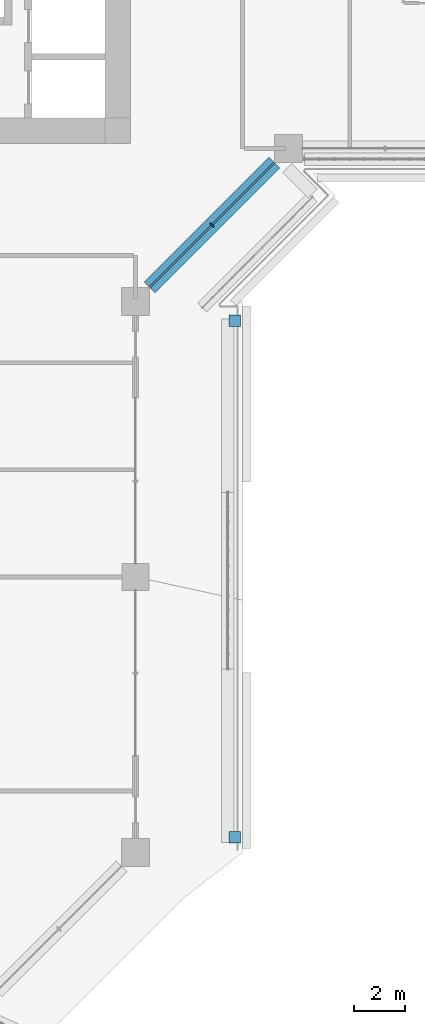
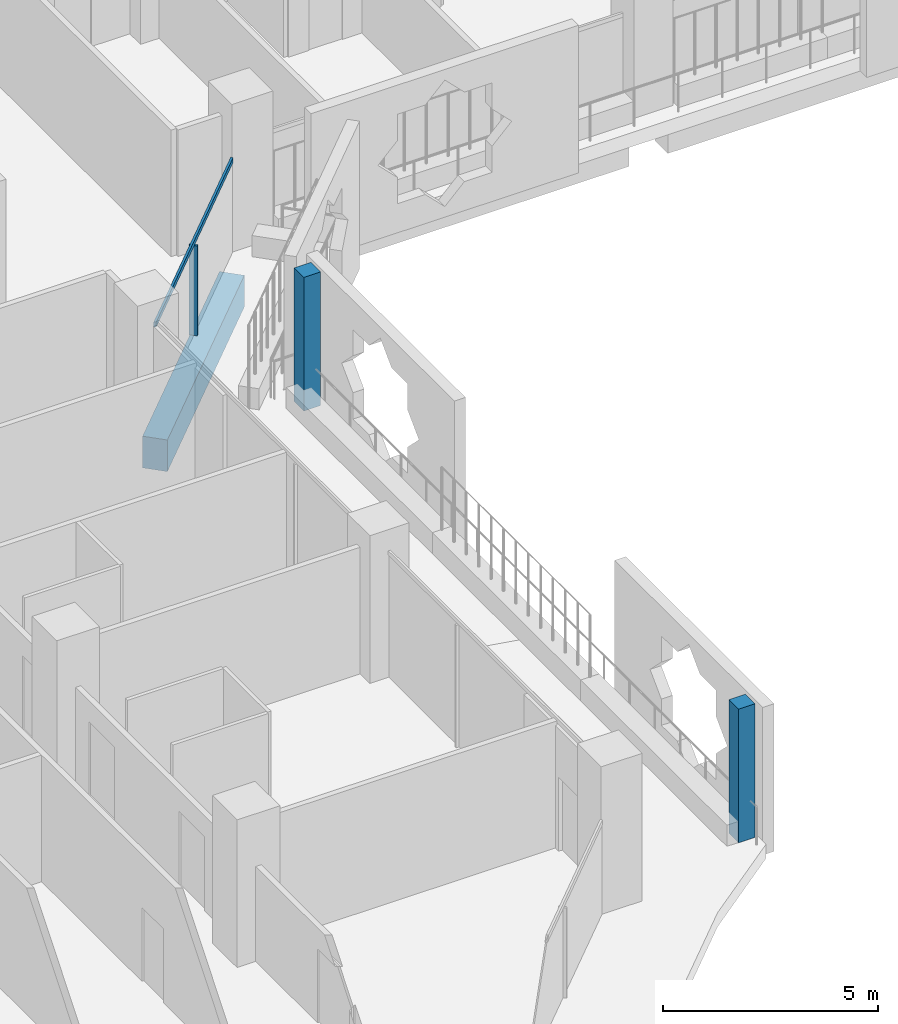
# One storey, part 4 of 26: 4 members, 1 beam, 2 elements without a shape of their own.
"""IFC4 building model written with IfcOpenShell, lengths in metres."""

from ifc_helpers import new_model, si_unit, direction, frame, origin, origin_2d, place, context, subcontext, project, spatial, rectangle, extrude, material, layer, layer_set, material_profile, profile_set, type_object, element, aggregate, save


model = new_model("IFC4")

# Units and contexts
model_context = context("Model", 3, precision=1e-05, world=origin(), true_north=direction((0.0, 1.0)))
body_context = subcontext(model_context, "Body", "Model", "MODEL_VIEW")
ifc_project = project(units=[si_unit("LENGTHUNIT", "METRE"), si_unit("AREAUNIT", "SQUARE_METRE"), si_unit("VOLUMEUNIT", "CUBIC_METRE"), si_unit("PLANEANGLEUNIT", "RADIAN"), si_unit("MASSUNIT", "GRAM", prefix="KILO")], contexts=[model_context])

# Site, building, storey
site_placement = place(None, origin())
site = spatial("IfcSite", under=ifc_project, at=site_placement, CompositionType="ELEMENT")
building_placement = place(site_placement, origin())
building = spatial("IfcBuilding", under=site, at=building_placement, Name="Kawkab Arch Medical Tower", CompositionType="ELEMENT")
storey_placement = place(building_placement, frame((0.0, 0.0, 119.800048828125)))
storey = spatial("IfcBuildingStorey", under=building, at=storey_placement, Name="L27", CompositionType="ELEMENT", Elevation=119.800048828125)

# Curtain wall, members
ifc_material_1 = material(Name="Bronze anodised aluminium curtain wall frame", Category="aluminium")
ifc_layer_1 = layer(ifc_material_1, 0.159912109375)
ifc_layer_set_1 = layer_set([ifc_layer_1], Name="Bronze anodised aluminium curtain wall frame")
curtain_wall_type_1 = type_object("IfcCurtainWallType", Name="CW2 chamfer curtain wall", PredefinedType="NOTDEFINED", material=ifc_layer_set_1)
placement = place(storey_placement, origin())
curtain_wall_1 = element("IfcCurtainWall", 1, at=placement, inside=storey, type_object=curtain_wall_type_1, Name="CW2 Chamfer curtain wall R06", PredefinedType="NOTDEFINED")
ifc_material_2 = material(Name="Bronze anodised aluminium curtain wall frame", Category="aluminium")
ifc_material_profile_1 = material_profile(ifc_material_2, rectangle(XDim=0.199951171875, YDim=0.06005859375, at=origin_2d()), Name="AL 60x200")
ifc_profile_set_1 = profile_set([ifc_material_profile_1], Name="Bronze anodised aluminium curtain wall frame")
member_type_1 = type_object("IfcMemberType", Name="CW2 mullion 60 x 200", PredefinedType="MULLION", material=ifc_profile_set_1)
member_1_placement = place(storey_placement, frame((28.199951171875, -28.199951171875, 0.0), z_axis=(0.0, 0.0, 1.0), x_axis=(-0.707106781187, 0.707106781187, 0.0)))
member_1 = element("IfcMember", 2, at=member_1_placement, type_object=member_type_1, Name="CW2 mullion 1.1", PredefinedType="MULLION", context=body_context, shape_type="SweptSolid", body=[
    extrude(rectangle(XDim=0.199951171875, YDim=0.06005859375, at=origin_2d()), origin(), (0.0, 0.0, 1.0), 2.56005859375),
])
ifc_material_3 = material(Name="Bronze anodised aluminium curtain wall frame", Category="aluminium")
ifc_material_profile_2 = material_profile(ifc_material_3, rectangle(XDim=0.06005859375, YDim=0.139892578125, at=origin_2d()), Name="AL 60x140")
ifc_profile_set_2 = profile_set([ifc_material_profile_2], Name="Bronze anodised aluminium curtain wall frame")
member_type_2 = type_object("IfcMemberType", Name="CW2 transom 140 x 60", PredefinedType="USERDEFINED", material=ifc_profile_set_2)
member_2_placement = place(storey_placement, frame((25.75, -30.64990234375, 2.6298828125), z_axis=(0.707106781187, 0.707106781187, 0.0), x_axis=(-0.707106781187, 0.707106781187, 0.0)))
member_2 = element("IfcMember", 3, at=member_2_placement, type_object=member_type_2, Name="CW2 transom 1", ObjectType="TRANSOM", PredefinedType="USERDEFINED", context=body_context, shape_type="SweptSolid", body=[
    extrude(rectangle(XDim=0.06005859375, YDim=0.139892578125, at=origin_2d()), origin(), (0.0, 0.0, 1.0), 6.929443359375),
])
aggregate(curtain_wall_1, [member_2, member_1])

ifc_material_4 = material(Name="Bronze anodised aluminium climber frame, planted", Category="aluminium")
ifc_layer_2 = layer(ifc_material_4, 0.449951171875)
ifc_layer_set_2 = layer_set([ifc_layer_2], Name="Bronze anodised aluminium climber frame, planted")
curtain_wall_type_2 = type_object("IfcCurtainWallType", Name="Planted climber frame", PredefinedType="NOTDEFINED", material=ifc_layer_set_2)
curtain_wall_2 = element("IfcCurtainWall", 4, at=placement, inside=storey, type_object=curtain_wall_type_2, Name="Planted climber frame L27", PredefinedType="NOTDEFINED")
ifc_material_5 = material(Name="Bronze anodised aluminium climber frame, planted", Category="aluminium")
ifc_material_profile_3 = material_profile(ifc_material_5, rectangle(XDim=0.449951171875, YDim=0.449951171875, at=origin_2d()), Name="Post 450x450")
ifc_profile_set_3 = profile_set([ifc_material_profile_3], Name="Bronze anodised aluminium climber frame, planted")
member_type_3 = type_object("IfcMemberType", Name="Planted climber post 450 x 450", PredefinedType="MULLION", material=ifc_profile_set_3)
member_3_placement = place(storey_placement, frame((29.10009765625, -31.949951171875, 0.0), z_axis=(0.0, 0.0, 1.0), x_axis=(1.0, 0.0, 0.0)))
member_3 = element("IfcMember", 5, at=member_3_placement, type_object=member_type_3, Name="Planted climber post L27.LOG-01-01.5", PredefinedType="MULLION", context=body_context, shape_type="SweptSolid", body=[
    extrude(rectangle(XDim=0.449951171875, YDim=0.449951171875, at=origin_2d()), origin(), (0.0, 0.0, 1.0), 3.800048828125),
])
member_4_placement = place(storey_placement, frame((29.10009765625, -52.202880859375, 0.0), z_axis=(0.0, 0.0, 1.0), x_axis=(1.0, 0.0, 0.0)))
member_4 = element("IfcMember", 6, at=member_4_placement, type_object=member_type_3, Name="Planted climber post L27.LOG-01-01.6", PredefinedType="MULLION", context=body_context, shape_type="SweptSolid", body=[
    extrude(rectangle(XDim=0.449951171875, YDim=0.449951171875, at=origin_2d()), origin(), (0.0, 0.0, 1.0), 3.800048828125),
])
aggregate(curtain_wall_2, [member_3, member_4])

# Beam
ifc_material_6 = material(Name="Concrete C55/67", Category="concrete")
ifc_material_profile_4 = material_profile(ifc_material_6, rectangle(XDim=0.60009765625, YDim=0.89990234375, at=origin_2d()), Name="RC 600x900")
ifc_profile_set_4 = profile_set([ifc_material_profile_4], Name="Concrete C55/67")
beam_type = type_object("IfcBeamType", Name="RC 600x900 beam C55/67", PredefinedType="BEAM", material=ifc_profile_set_4)
beam_placement = place(storey_placement, frame((30.64990234375, -25.75, -1.050048828125), z_axis=(-0.707106781187, -0.707106781187, 0.0), x_axis=(0.707106781187, -0.707106781187, 0.0)))
element("IfcBeam", 7, at=beam_placement, inside=storey, type_object=beam_type, Name="Overhang edge beam L27-06", PredefinedType="BEAM", context=body_context, shape_type="SweptSolid", body=[
    extrude(rectangle(XDim=0.60009765625, YDim=0.89990234375, at=origin_2d()), origin(), (0.0, 0.0, 1.0), 6.929443359375),
])

save(model, "model.ifc")
